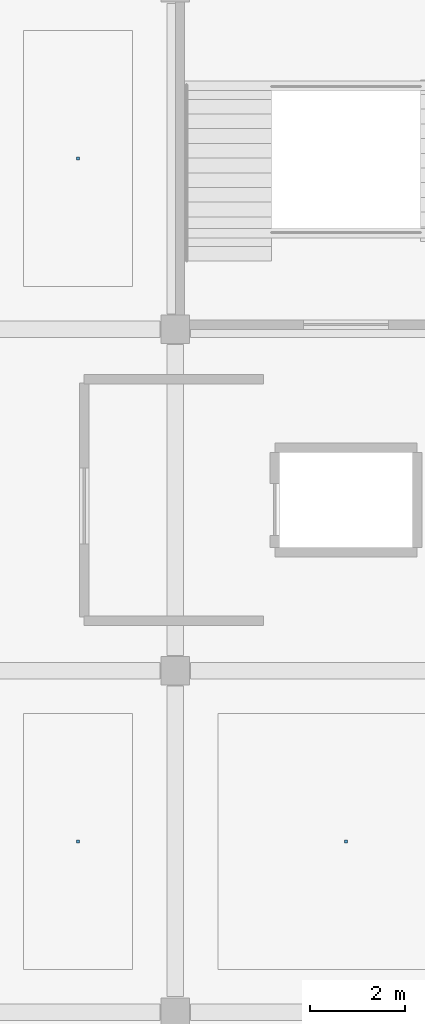
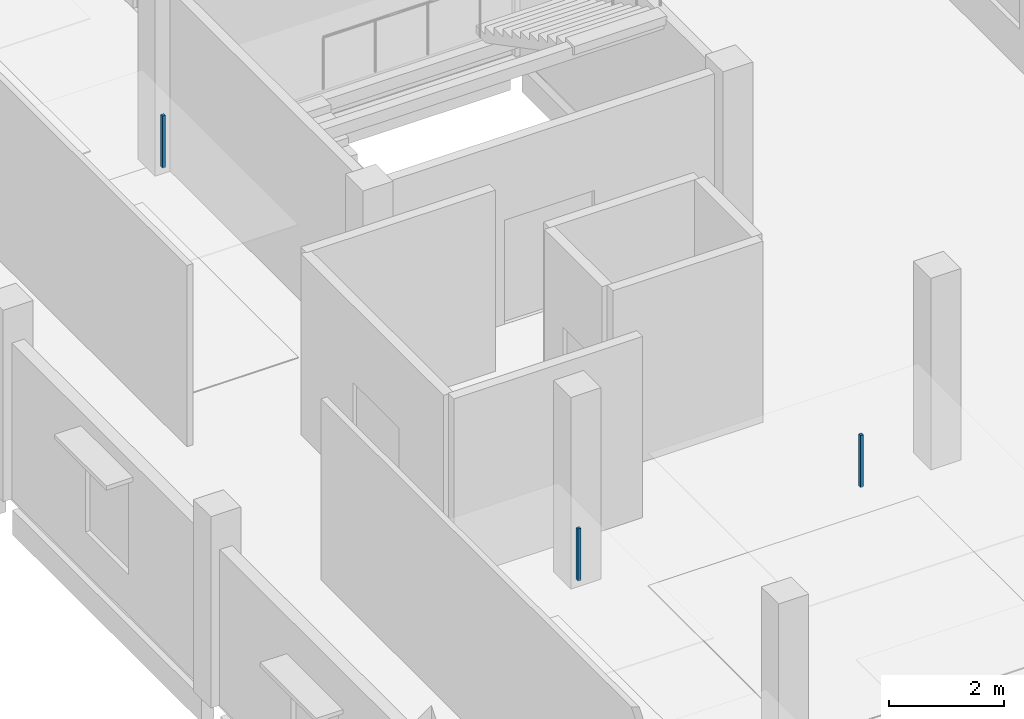
# One storey, part 52 of 59: 3 discrete accessories.
"""IFC4 building model written with IfcOpenShell, lengths in metres."""

import ifcopenshell
import ifcopenshell.guid

model = None  # the IFC model being written
_history = None  # IfcOwnerHistory: only IFC2X3 demands one
_inside = {}  # id of a spatial element -> (the spatial element, [elements in it])
_under = {}  # id of a project, library or spatial element -> (it, [spatial elements below it])
_declared = {}  # id of a project -> (the project, [libraries it declares])
_typed = {}  # id of a type object -> (the type object, [elements of that type])
_made_of = {}  # id of a material, layer set ... -> (it, [elements and type objects made of it])


def new_model(schema):
    """Start an empty IFC model of exactly this schema.

    Asked for "IFC4X3", IfcOpenShell would pick the latest addendum, in which some entities
    have other attributes; the version numbers below select the first issue.
    IFC2X3 requires an IfcOwnerHistory on every rooted entity: one is made here for all.
    """
    global model, _history
    if schema == "IFC4X3":
        model = ifcopenshell.file(schema_version=(4, 3, 0, 0))
    else:
        model = ifcopenshell.file(schema=schema)
    _inside.clear()
    _under.clear()
    _declared.clear()
    _typed.clear()
    _made_of.clear()
    _history = None
    if model.schema == "IFC2X3":
        org = make("IfcOrganization", Name="unknown")
        user = make(
            "IfcPersonAndOrganization",
            ThePerson=make("IfcPerson", FamilyName="unknown"),
            TheOrganization=org,
        )
        app = make(
            "IfcApplication",
            ApplicationDeveloper=org,
            Version="unknown",
            ApplicationFullName="unknown",
            ApplicationIdentifier="unknown",
        )
        _history = make(
            "IfcOwnerHistory",
            OwningUser=user,
            OwningApplication=app,
            ChangeAction="ADDED",
            CreationDate=0,
        )
    return model


def make(cls, **values):
    """One entity of the class cls with the attributes given. An attribute that is None is left unset."""
    return model.create_entity(
        cls, **{name: value for name, value in values.items() if value is not None}
    )


def rooted(cls, **values):
    """An entity with a GlobalId (a new one), such as an element, a storey or a relation."""
    return make(cls, GlobalId=ifcopenshell.guid.new(), OwnerHistory=_history, **values)


def si_unit(unit_type, name, prefix=None):
    """IfcSIUnit, for example si_unit("LENGTHUNIT", "METRE", prefix="MILLI")."""
    return make("IfcSIUnit", UnitType=unit_type, Prefix=prefix, Name=name)


def assignment(units):
    """IfcUnitAssignment: the units of a project."""
    return None if units is None else make("IfcUnitAssignment", Units=units)


def point(xyz):
    """IfcCartesianPoint."""
    return None if xyz is None else make("IfcCartesianPoint", Coordinates=xyz)


def direction(xyz):
    """IfcDirection."""
    return None if xyz is None else make("IfcDirection", DirectionRatios=xyz)


def frame(location, z_axis=None, x_axis=None):
    """IfcAxis2Placement3D, a coordinate frame: its origin and axes. An axis left out is left unset."""
    return make(
        "IfcAxis2Placement3D",
        Location=point(location),
        Axis=direction(z_axis),
        RefDirection=direction(x_axis),
    )


def frame_2d(location, x_axis=None):
    """IfcAxis2Placement2D, a coordinate frame in the plane: its origin and x axis."""
    return make(
        "IfcAxis2Placement2D", Location=point(location), RefDirection=direction(x_axis)
    )


def origin():
    """The frame at (0, 0, 0) with its axes left unset."""
    return frame((0.0, 0.0, 0.0))


def origin_2d():
    """The frame at (0, 0) in the plane with its x axis left unset."""
    return frame_2d((0.0, 0.0))


def place(relative_to, where):
    """IfcLocalPlacement: puts the frame where relative to a parent placement (None: the world)."""
    return make(
        "IfcLocalPlacement", PlacementRelTo=relative_to, RelativePlacement=where
    )


def context(
    kind, dimensions, precision=None, world=None, true_north=None, identifier=None
):
    """IfcGeometricRepresentationContext, for example the 3D "Model" context."""
    return make(
        "IfcGeometricRepresentationContext",
        ContextIdentifier=identifier,
        ContextType=kind,
        CoordinateSpaceDimension=dimensions,
        Precision=precision,
        WorldCoordinateSystem=world,
        TrueNorth=true_north,
    )


def subcontext(parent, identifier, kind, view, scale=None):
    """IfcGeometricRepresentationSubContext, for example "Body" below "Model"."""
    return make(
        "IfcGeometricRepresentationSubContext",
        ContextIdentifier=identifier,
        ContextType=kind,
        ParentContext=parent,
        TargetScale=scale,
        TargetView=view,
    )


def project(units=None, contexts=None):
    """IfcProject with its units and contexts."""
    return rooted(
        "IfcProject",
        Name="project",
        RepresentationContexts=contexts,
        UnitsInContext=assignment(units),
    )


def spatial(cls, under=None, at=None, **own):
    """A site, building, storey or space (cls), placed at a placement, below another one or the project."""
    s = rooted(cls, ObjectPlacement=at, **own)
    if under is not None:
        _under.setdefault(under.id(), (under, []))[1].append(s)
    return s


def profile(cls, at=None, kind="AREA", **sizes):
    """A parametric profile (cls). Its sizes go by their IFC names, for example OverallWidth=200.0."""
    return make(cls, ProfileType=kind, Position=at, **sizes)


def rectangle(**sizes):
    """IfcRectangleProfileDef."""
    return profile("IfcRectangleProfileDef", **sizes)


def extrude(swept, where, along, depth):
    """IfcExtrudedAreaSolid: the profile swept, set in the frame where, extruded along a direction by depth."""
    return make(
        "IfcExtrudedAreaSolid",
        SweptArea=swept,
        Position=where,
        ExtrudedDirection=direction(along),
        Depth=depth,
    )


def shape(context_of_items, identifier, shape_type, items):
    """IfcShapeRepresentation: the items that make up one representation, for example the "Body"."""
    return make(
        "IfcShapeRepresentation",
        ContextOfItems=context_of_items,
        RepresentationIdentifier=identifier,
        RepresentationType=shape_type,
        Items=items,
    )


def material(Name=None, Category=None):
    """IfcMaterial."""
    return make("IfcMaterial", Name=Name, Category=Category)


def made_of(thing, what):
    """Note that an element or type object is made of a material, layer set ...; save() writes the relation."""
    if what is not None:
        _made_of.setdefault(what.id(), (what, []))[1].append(thing)
    return thing


def type_object(cls, material=None, **own):
    """A type object (cls), such as IfcWallType, which elements share."""
    return made_of(rooted(cls, **own), material)


def element(
    cls,
    number,
    at=None,
    inside=None,
    cuts=None,
    type_object=None,
    material=None,
    context=None,
    identifier="Body",
    shape_type=None,
    held_by="IfcProductDefinitionShape",
    body=None,
    shapes=None,
    **own,
):
    """One element of the class cls, such as IfcWall. Its Tag is "e" and its number.

    at: its placement. inside: the storey or other place that contains it. cuts: it is an
    opening in that element (IfcRelVoidsElement). A single representation is given by context,
    identifier, shape_type and body (its items); several are given by shapes. held_by: the class
    of the entity that holds the representations. save() writes the other relations.
    """
    e = rooted(cls, Tag="e%d" % number, ObjectPlacement=at, **own)
    if body is not None:
        shapes = [shape(context, identifier, shape_type, body)]
    if shapes is not None:
        e.Representation = make(held_by, Representations=shapes)
    if inside is not None:
        _inside.setdefault(inside.id(), (inside, []))[1].append(e)
    if cuts is not None:
        rooted(
            "IfcRelVoidsElement", RelatingBuildingElement=cuts, RelatedOpeningElement=e
        )
    if type_object is not None:
        _typed.setdefault(type_object.id(), (type_object, []))[1].append(e)
    return made_of(e, material)


def aggregate(whole, parts):
    """IfcRelAggregates: a whole, such as a stair, and the parts it consists of."""
    return rooted("IfcRelAggregates", RelatingObject=whole, RelatedObjects=parts)


def save(model, path):
    """Write the relations noted so far, then the file.

    IfcRelAggregates (storeys below a building ...), IfcRelContainedInSpatialStructure (elements
    in a storey), IfcRelDefinesByType, IfcRelAssociatesMaterial and IfcRelDeclares: one each for
    every whole, place, type object, material and project.
    """
    for whole, parts in _under.values():
        aggregate(whole, parts)
    for where, things in _inside.values():
        rooted(
            "IfcRelContainedInSpatialStructure",
            RelatedElements=things,
            RelatingStructure=where,
        )
    for kind, things in _typed.values():
        rooted("IfcRelDefinesByType", RelatedObjects=things, RelatingType=kind)
    for what, things in _made_of.values():
        rooted("IfcRelAssociatesMaterial", RelatedObjects=things, RelatingMaterial=what)
    for by, libraries in _declared.values():
        rooted("IfcRelDeclares", RelatingContext=by, RelatedDefinitions=libraries)
    model.write(path)


model = new_model("IFC4")

# Units and contexts
model_context = context("Model", 3, precision=1e-05, world=origin(), true_north=direction((0.0, 1.0)))
body_context = subcontext(model_context, "Body", "Model", "MODEL_VIEW")
ifc_project = project(units=[si_unit("LENGTHUNIT", "METRE"), si_unit("AREAUNIT", "SQUARE_METRE"), si_unit("VOLUMEUNIT", "CUBIC_METRE"), si_unit("PLANEANGLEUNIT", "RADIAN"), si_unit("MASSUNIT", "GRAM", prefix="KILO")], contexts=[model_context])

# Site, building, storey
site_placement = place(None, origin())
site = spatial("IfcSite", under=ifc_project, at=site_placement, CompositionType="ELEMENT")
building_placement = place(site_placement, origin())
building = spatial("IfcBuilding", under=site, at=building_placement, Name="Kangsadwip Square Police Headquarters", CompositionType="ELEMENT")
storey_placement = place(building_placement, frame((0.0, 0.0, 21.60009765625)))
storey = spatial("IfcBuildingStorey", under=building, at=storey_placement, Name="L05", CompositionType="ELEMENT", Elevation=21.60009765625)

# Discrete accessories
ifc_material = material(Name="Structural steel IS 2062 E350 (Grade 350, 350 MPa)", Category="steel")
discrete_accessory_type = type_object("IfcDiscreteAccessoryType", Name="VeilOutriggerBracket", PredefinedType="BRACKET", material=ifc_material)
for number, where, z_axis, x_axis, name in (
    (1, (149.14990234375, 46.800048828125, 2.809814453125), (0.0, 0.0, 1.0), (1.0, 0.0, 0.0), "Ceiling Suspension Hanger L05-145"),
    (2, (154.800048828125, 46.800048828125, 2.809814453125), (0.0, 0.0, 1.0), (1.0, 0.0, 0.0), "Ceiling Suspension Hanger L05-146"),
    (3, (149.14990234375, 61.199951171875, 2.809814453125), (0.0, 0.0, 1.0), (1.0, 0.0, 0.0), "Ceiling Suspension Hanger L05-147"),
):
    element("IfcDiscreteAccessory", number, at=place(storey_placement, frame(where, z_axis=z_axis, x_axis=x_axis)), inside=storey, type_object=discrete_accessory_type, Name=name, PredefinedType="BRACKET", context=body_context, shape_type="SweptSolid", body=[
        extrude(rectangle(XDim=0.06005859375, YDim=0.06005859375, at=origin_2d()), origin(), (0.0, 0.0, 1.0), 1.10009765625),
    ])

save(model, "model.ifc")
